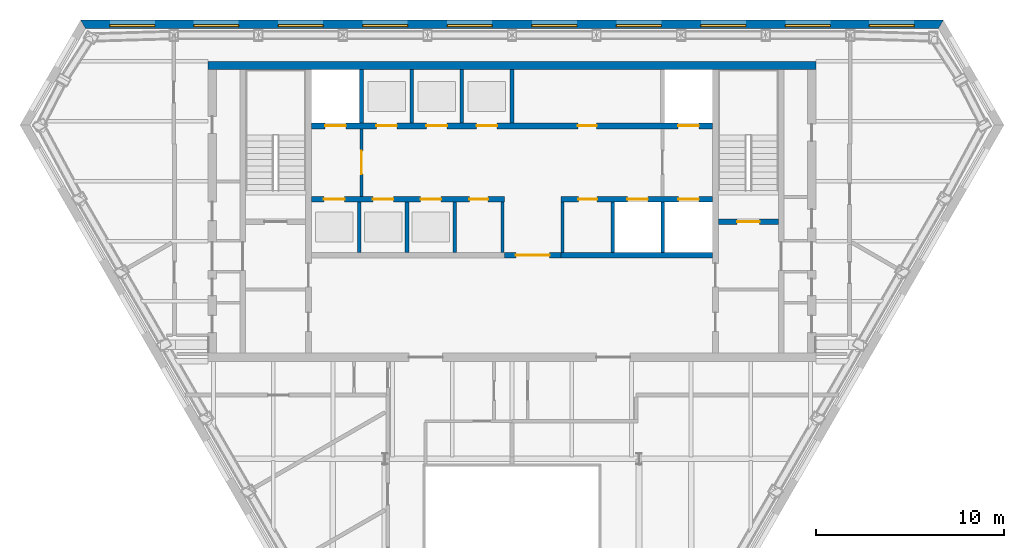
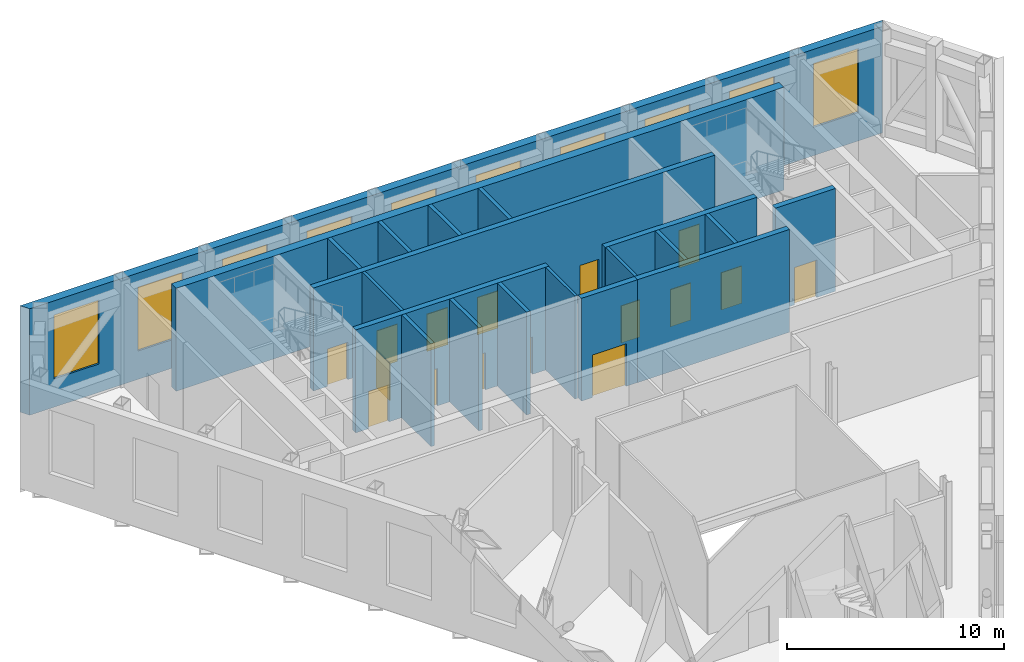
# One storey, part 9 of 14: 20 walls, 16 doors, 10 shading devices, 26 openings.
"""IFC4 building model written with IfcOpenShell, lengths in metres."""

from ifc_helpers import new_model, si_unit, direction, frame, frame_2d, origin, place, context, subcontext, project, spatial, polyline, rectangle, outline, extrude, material, layer, layer_set, type_object, element, fill, save


model = new_model("IFC4")

# Units and contexts
model_context = context("Model", 3, precision=1e-05, world=origin(), true_north=direction((0.0, 1.0)))
body_context = subcontext(model_context, "Body", "Model", "MODEL_VIEW")
ifc_project = project(units=[si_unit("LENGTHUNIT", "METRE"), si_unit("AREAUNIT", "SQUARE_METRE"), si_unit("VOLUMEUNIT", "CUBIC_METRE"), si_unit("PLANEANGLEUNIT", "RADIAN"), si_unit("MASSUNIT", "GRAM", prefix="KILO")], contexts=[model_context])

# Site, building, storey
site_placement = place(None, origin())
site = spatial("IfcSite", under=ifc_project, at=site_placement, CompositionType="ELEMENT")
building_placement = place(site_placement, origin())
building = spatial("IfcBuilding", under=site, at=building_placement, Name="Njiva Tower", CompositionType="ELEMENT")
storey_placement = place(building_placement, frame((0.0, 0.0, 239.4)))
storey = spatial("IfcBuildingStorey", under=building, at=storey_placement, Name="L54", CompositionType="ELEMENT", Elevation=239.4)

# Walls
ifc_material_1 = material(Name="Blockwork", Category="masonry")
ifc_layer_1 = layer(ifc_material_1, 0.15)
ifc_layer_set_1 = layer_set([ifc_layer_1], Name="Blockwork")
wall_type_1 = type_object("IfcWallType", Name="WT1 Compartment partition 150", PredefinedType="PARTITIONING", material=ifc_layer_set_1)
for number, where, z_axis, x_axis, name in (
    (1, (-0.5, 7.8, 0.0), (0.0, 0.0, 1.0), (0.0, 1.0, 0.0), "Partition CS4"),
    (2, (2.7, 7.8, 0.0), (0.0, 0.0, 1.0), (0.0, 1.0, 0.0), "Partition CS5"),
):
    element("IfcWall", number, at=place(storey_placement, frame(where, z_axis=z_axis, x_axis=x_axis)), inside=storey, type_object=wall_type_1, Name=name, PredefinedType="PARTITIONING", context=body_context, shape_type="SweptSolid", body=[
        extrude(rectangle(XDim=2.7, YDim=0.15, at=frame_2d((1.35, 0.0))), origin(), (0.0, 0.0, 1.0), 5.8),
    ])

# Wall, opening, door
ifc_material_2 = material(Name="Concrete C40/50", Category="concrete")
ifc_layer_2 = layer(ifc_material_2, 0.3)
ifc_layer_set_2 = layer_set([ifc_layer_2], Name="Concrete C40/50")
wall_type_2 = type_object("IfcWallType", Name="WT10 Stair enclosure wall 300", PredefinedType="SHEAR", material=ifc_layer_set_2)
wall_1_placement = place(storey_placement, frame((11.0, 9.45, 0.0), z_axis=(0.0, 0.0, 1.0), x_axis=(1.0, 0.0, 0.0)))
wall_1 = element("IfcWall", 3, at=wall_1_placement, inside=storey, type_object=wall_type_2, Name="Stair B south wall", PredefinedType="SHEAR", context=body_context, shape_type="SweptSolid", body=[
    extrude(rectangle(XDim=3.2, YDim=0.3, at=frame_2d((1.6, 0.0))), origin(), (0.0, 0.0, 1.0), 5.8),
])
opening_1_placement = place(wall_1_placement, frame((1.0, 0.0, 0.0)))
opening_1 = element("IfcOpeningElement", 4, at=opening_1_placement, cuts=wall_1, Name="Opening T4-D919", PredefinedType="OPENING", context=body_context, shape_type="SweptSolid", body=[
    extrude(rectangle(XDim=1.2, YDim=2.1, at=frame_2d((0.6, 1.05))), frame((0.0, 0.16, 0.0), z_axis=(0.0, -1.0, 0.0), x_axis=(1.0, 0.0, 0.0)), (0.0, 0.0, 1.0), 0.32),
])
ifc_material_3 = material(Name="Glazed steel fire door", Category="steel")
door_type_1 = type_object("IfcDoorType", Name="D7 Stair vestibule door 1200x2100 glazed", OperationType="SINGLE_SWING_LEFT", PredefinedType="DOOR", material=ifc_material_3)
door_1_placement = place(opening_1_placement, origin())
door_1 = element("IfcDoor", 5, at=door_1_placement, inside=storey, type_object=door_type_1, Name="Stair B door", OperationType="SINGLE_SWING_LEFT", OverallHeight=2.1, OverallWidth=1.2, PredefinedType="DOOR", context=body_context, shape_type="SweptSolid", body=[
    extrude(rectangle(XDim=1.2, YDim=2.1, at=frame_2d((0.6, 1.05))), frame((0.0, 0.025, 0.0), z_axis=(0.0, -1.0, 0.0), x_axis=(1.0, 0.0, 0.0)), (0.0, 0.0, 1.0), 0.05),
])
fill(opening_1, door_1)

# Wall
ifc_material_4 = material(Name="Concrete C60/75", Category="concrete")
ifc_layer_3 = layer(ifc_material_4, 0.45)
ifc_layer_set_3 = layer_set([ifc_layer_3], Name="Concrete C60/75")
wall_type_3 = type_object("IfcWallType", Name="WT12 Core wall 450", PredefinedType="SHEAR", material=ifc_layer_set_3)
wall_2_placement = place(storey_placement, frame((-16.2, 17.775, 0.0), z_axis=(0.0, 0.0, 1.0), x_axis=(1.0, 0.0, 0.0)))
element("IfcWall", 6, at=wall_2_placement, inside=storey, type_object=wall_type_3, Name="Core wall north", PredefinedType="SHEAR", context=body_context, shape_type="SweptSolid", body=[
    extrude(rectangle(XDim=32.4, YDim=0.45, at=frame_2d((16.2, 0.0))), origin(), (0.0, 0.0, 1.0), 5.8),
])

# Wall, opening, door
ifc_layer_4 = layer(ifc_material_1, 0.15)
ifc_layer_set_4 = layer_set([ifc_layer_4], Name="Blockwork")
wall_type_4 = type_object("IfcWallType", Name="WT2 Lobby partition 150", PredefinedType="PARTITIONING", material=ifc_layer_set_4)
wall_3_placement = place(storey_placement, frame((-8.025, 10.8, 0.0), z_axis=(0.0, 0.0, 1.0), x_axis=(0.0, 1.0, 0.0)))
wall_3 = element("IfcWall", 7, at=wall_3_placement, inside=storey, type_object=wall_type_4, Name="Firefighting lobby wall A", PredefinedType="PARTITIONING", context=body_context, shape_type="SweptSolid", body=[
    extrude(rectangle(XDim=3.6, YDim=0.15, at=frame_2d((1.8, 0.0))), origin(), (0.0, 0.0, 1.0), 5.8),
])
opening_2_placement = place(wall_3_placement, frame((1.175, 0.0, 0.0)))
opening_2 = element("IfcOpeningElement", 8, at=opening_2_placement, cuts=wall_3, Name="Opening T4-D914", PredefinedType="OPENING", context=body_context, shape_type="SweptSolid", body=[
    extrude(rectangle(XDim=1.25, YDim=2.1, at=frame_2d((0.625, 1.05))), frame((0.0, 0.085, 0.0), z_axis=(0.0, -1.0, 0.0), x_axis=(1.0, 0.0, 0.0)), (0.0, 0.0, 1.0), 0.17),
])
door_type_2 = type_object("IfcDoorType", Name="D8 Vestibule corridor door 1250x2100 glazed", OperationType="SINGLE_SWING_LEFT", PredefinedType="DOOR", material=ifc_material_3)
door_2_placement = place(opening_2_placement, origin())
door_2 = element("IfcDoor", 9, at=door_2_placement, inside=storey, type_object=door_type_2, Name="Stair vestibule corridor door", OperationType="SINGLE_SWING_RIGHT", OverallHeight=2.1, OverallWidth=1.25, PredefinedType="DOOR", context=body_context, shape_type="SweptSolid", body=[
    extrude(rectangle(XDim=1.25, YDim=2.1, at=frame_2d((0.625, 1.05))), frame((0.0, 0.025, 0.0), z_axis=(0.0, -1.0, 0.0), x_axis=(1.0, 0.0, 0.0)), (0.0, 0.0, 1.0), 0.05),
])
fill(opening_2, door_2)

ifc_layer_5 = layer(ifc_material_1, 0.3)
ifc_layer_set_5 = layer_set([ifc_layer_5], Name="Blockwork")
wall_type_5 = type_object("IfcWallType", Name="WT5 Lobby partition 300", PredefinedType="PARTITIONING", material=ifc_layer_set_5)
wall_4_placement = place(storey_placement, frame((-0.4, 7.65, 0.0), z_axis=(0.0, 0.0, 1.0), x_axis=(1.0, 0.0, 0.0)))
wall_4 = element("IfcWall", 10, at=wall_4_placement, inside=storey, type_object=wall_type_5, Name="Lift lobby screen wall", PredefinedType="PARTITIONING", context=body_context, shape_type="SweptSolid", body=[
    extrude(rectangle(XDim=3.0, YDim=0.3, at=frame_2d((1.5, 0.0))), origin(), (0.0, 0.0, 1.0), 5.8),
])
opening_3_placement = place(wall_4_placement, frame((0.6, 0.0, 0.0)))
opening_3 = element("IfcOpeningElement", 11, at=opening_3_placement, cuts=wall_4, Name="Opening T4-D934", PredefinedType="OPENING", context=body_context, shape_type="SweptSolid", body=[
    extrude(rectangle(XDim=1.8, YDim=2.4, at=frame_2d((0.9, 1.2))), frame((0.0, 0.16, 0.0), z_axis=(0.0, -1.0, 0.0), x_axis=(1.0, 0.0, 0.0)), (0.0, 0.0, 1.0), 0.32),
])
ifc_material_5 = material(Name="Steel and glass door", Category="steel")
door_type_3 = type_object("IfcDoorType", Name="D3 Core entrance door 1800x2400", OperationType="DOUBLE_DOOR_SINGLE_SWING", PredefinedType="DOOR", material=ifc_material_5)
door_3_placement = place(opening_3_placement, origin())
door_3 = element("IfcDoor", 12, at=door_3_placement, inside=storey, type_object=door_type_3, Name="Core entrance door", OperationType="DOUBLE_DOOR_SINGLE_SWING", OverallHeight=2.4, OverallWidth=1.8, PredefinedType="DOOR", context=body_context, shape_type="SweptSolid", body=[
    extrude(rectangle(XDim=1.8, YDim=2.4, at=frame_2d((0.9, 1.2))), frame((0.0, 0.025, 0.0), z_axis=(0.0, -1.0, 0.0), x_axis=(1.0, 0.0, 0.0)), (0.0, 0.0, 1.0), 0.05),
])
fill(opening_3, door_3)

# Walls
ifc_layer_6 = layer(ifc_material_2, 0.2)
ifc_layer_set_6 = layer_set([ifc_layer_6], Name="Concrete C40/50")
wall_type_6 = type_object("IfcWallType", Name="WT6 Lift shaft wall 200", PredefinedType="SHEAR", material=ifc_layer_set_6)
for number, where, z_axis, x_axis, name in (
    (13, (-8.025, 14.7, 0.0), (0.0, 0.0, 1.0), (0.0, 1.0, 0.0), "Shaft wall CN1"),
    (14, (-5.35, 14.7, 0.0), (0.0, 0.0, 1.0), (0.0, 1.0, 0.0), "Shaft wall CN2"),
    (15, (-2.675, 14.7, 0.0), (0.0, 0.0, 1.0), (0.0, 1.0, 0.0), "Shaft wall CN3"),
    (16, (0.0, 14.7, 0.0), (0.0, 0.0, 1.0), (0.0, 1.0, 0.0), "Shaft wall CN4"),
):
    element("IfcWall", number, at=place(storey_placement, frame(where, z_axis=z_axis, x_axis=x_axis)), inside=storey, type_object=wall_type_6, Name=name, PredefinedType="SHEAR", context=body_context, shape_type="SweptSolid", body=[
        extrude(rectangle(XDim=2.85, YDim=0.2, at=frame_2d((1.425, 0.0))), origin(), (0.0, 0.0, 1.0), 5.8),
    ])
for number, where, z_axis, x_axis, name in (
    (17, (-8.15, 7.8, 0.0), (0.0, 0.0, 1.0), (0.0, 1.0, 0.0), "Shaft wall CS1"),
    (18, (-5.6, 7.8, 0.0), (0.0, 0.0, 1.0), (0.0, 1.0, 0.0), "Shaft wall CS2"),
    (19, (-3.05, 7.8, 0.0), (0.0, 0.0, 1.0), (0.0, 1.0, 0.0), "Shaft wall CS3"),
    (20, (5.3667, 7.8, 0.0), (0.0, 0.0, 1.0), (0.0, 1.0, 0.0), "Shaft wall CS6"),
    (21, (8.0333, 7.8, 0.0), (0.0, 0.0, 1.0), (0.0, 1.0, 0.0), "Shaft wall CS7"),
):
    element("IfcWall", number, at=place(storey_placement, frame(where, z_axis=z_axis, x_axis=x_axis)), inside=storey, type_object=wall_type_6, Name=name, PredefinedType="SHEAR", context=body_context, shape_type="SweptSolid", body=[
        extrude(rectangle(XDim=2.7, YDim=0.2, at=frame_2d((1.35, 0.0))), origin(), (0.0, 0.0, 1.0), 5.8),
    ])

# Wall, openings, doors
ifc_layer_7 = layer(ifc_material_2, 0.3)
ifc_layer_set_7 = layer_set([ifc_layer_7], Name="Concrete C40/50")
wall_type_7 = type_object("IfcWallType", Name="WT7 Lift shaft wall 300", PredefinedType="SHEAR", material=ifc_layer_set_7)
wall_5_placement = place(storey_placement, frame((-10.7, 14.55, 0.0), z_axis=(0.0, 0.0, 1.0), x_axis=(1.0, 0.0, 0.0)))
wall_5 = element("IfcWall", 22, at=wall_5_placement, inside=storey, type_object=wall_type_7, Name="Shaft wall north row lobby side", PredefinedType="SHEAR", context=body_context, shape_type="SweptSolid", body=[
    extrude(rectangle(XDim=21.4, YDim=0.3, at=frame_2d((10.7, 0.0))), origin(), (0.0, 0.0, 1.0), 5.8),
])
opening_4_placement = place(wall_5_placement, frame((0.7375, 0.0, 0.0)))
opening_4 = element("IfcOpeningElement", 23, at=opening_4_placement, cuts=wall_5, Name="Opening T4-D901", PredefinedType="OPENING", context=body_context, shape_type="SweptSolid", body=[
    extrude(rectangle(XDim=1.1, YDim=2.1, at=frame_2d((0.55, 1.05))), frame((0.0, 0.16, 0.0), z_axis=(0.0, -1.0, 0.0), x_axis=(1.0, 0.0, 0.0)), (0.0, 0.0, 1.0), 0.32),
])
opening_5_placement = place(wall_5_placement, frame((3.4625, 0.0, 0.0)))
opening_5 = element("IfcOpeningElement", 24, at=opening_5_placement, cuts=wall_5, Name="Opening T4-D902", PredefinedType="OPENING", context=body_context, shape_type="SweptSolid", body=[
    extrude(rectangle(XDim=1.1, YDim=2.1, at=frame_2d((0.55, 1.05))), frame((0.0, 0.16, 0.0), z_axis=(0.0, -1.0, 0.0), x_axis=(1.0, 0.0, 0.0)), (0.0, 0.0, 1.0), 0.32),
])
opening_6_placement = place(wall_5_placement, frame((6.1375, 0.0, 0.0)))
opening_6 = element("IfcOpeningElement", 25, at=opening_6_placement, cuts=wall_5, Name="Opening T4-D903", PredefinedType="OPENING", context=body_context, shape_type="SweptSolid", body=[
    extrude(rectangle(XDim=1.1, YDim=2.1, at=frame_2d((0.55, 1.05))), frame((0.0, 0.16, 0.0), z_axis=(0.0, -1.0, 0.0), x_axis=(1.0, 0.0, 0.0)), (0.0, 0.0, 1.0), 0.32),
])
opening_7_placement = place(wall_5_placement, frame((8.8125, 0.0, 0.0)))
opening_7 = element("IfcOpeningElement", 26, at=opening_7_placement, cuts=wall_5, Name="Opening T4-D904", PredefinedType="OPENING", context=body_context, shape_type="SweptSolid", body=[
    extrude(rectangle(XDim=1.1, YDim=2.1, at=frame_2d((0.55, 1.05))), frame((0.0, 0.16, 0.0), z_axis=(0.0, -1.0, 0.0), x_axis=(1.0, 0.0, 0.0)), (0.0, 0.0, 1.0), 0.32),
])
opening_8_placement = place(wall_5_placement, frame((19.5625, 0.0, 0.0)))
opening_8 = element("IfcOpeningElement", 27, at=opening_8_placement, cuts=wall_5, Name="Opening T4-D905", PredefinedType="OPENING", context=body_context, shape_type="SweptSolid", body=[
    extrude(rectangle(XDim=1.1, YDim=2.1, at=frame_2d((0.55, 1.05))), frame((0.0, 0.16, 0.0), z_axis=(0.0, -1.0, 0.0), x_axis=(1.0, 0.0, 0.0)), (0.0, 0.0, 1.0), 0.32),
])
opening_9_placement = place(wall_5_placement, frame((14.2125, 0.0, 0.0)))
opening_9 = element("IfcOpeningElement", 28, at=opening_9_placement, cuts=wall_5, Name="Opening T4-D911", PredefinedType="OPENING", context=body_context, shape_type="SweptSolid", body=[
    extrude(rectangle(XDim=1.0, YDim=2.1, at=frame_2d((0.5, 1.05))), frame((0.0, 0.16, 0.0), z_axis=(0.0, -1.0, 0.0), x_axis=(1.0, 0.0, 0.0)), (0.0, 0.0, 1.0), 0.32),
])
ifc_material_6 = material(Name="Steel door, painted", Category="steel")
door_type_4 = type_object("IfcDoorType", Name="D5 Steel door 1000x2100", OperationType="SINGLE_SWING_LEFT", PredefinedType="DOOR", material=ifc_material_6)
door_4_placement = place(opening_9_placement, origin())
door_4 = element("IfcDoor", 29, at=door_4_placement, inside=storey, type_object=door_type_4, Name="Ventilation plant room door", OperationType="SINGLE_SWING_LEFT", OverallHeight=2.1, OverallWidth=1.0, PredefinedType="DOOR", context=body_context, shape_type="SweptSolid", body=[
    extrude(rectangle(XDim=1.0, YDim=2.1, at=frame_2d((0.5, 1.05))), frame((0.0, 0.025, 0.0), z_axis=(0.0, -1.0, 0.0), x_axis=(1.0, 0.0, 0.0)), (0.0, 0.0, 1.0), 0.05),
])
fill(opening_9, door_4)
ifc_material_7 = material(Name="Stainless steel sliding door", Category="steel")
door_type_5 = type_object("IfcDoorType", Name="LD Lift landing door 1100x2100", OperationType="SLIDING_TO_LEFT", PredefinedType="DOOR", material=ifc_material_7)
door_5_placement = place(opening_4_placement, origin())
door_5 = element("IfcDoor", 30, at=door_5_placement, inside=storey, type_object=door_type_5, Name="Lift landing door FF1", OperationType="SLIDING_TO_LEFT", OverallHeight=2.1, OverallWidth=1.1, PredefinedType="DOOR", context=body_context, shape_type="SweptSolid", body=[
    extrude(rectangle(XDim=1.1, YDim=2.1, at=frame_2d((0.55, 1.05))), frame((0.0, 0.025, 0.0), z_axis=(0.0, -1.0, 0.0), x_axis=(1.0, 0.0, 0.0)), (0.0, 0.0, 1.0), 0.05),
])
fill(opening_4, door_5)
door_6_placement = place(opening_5_placement, origin())
door_6 = element("IfcDoor", 31, at=door_6_placement, inside=storey, type_object=door_type_5, Name="Lift landing door HB4 and MB4", OperationType="SLIDING_TO_LEFT", OverallHeight=2.1, OverallWidth=1.1, PredefinedType="DOOR", context=body_context, shape_type="SweptSolid", body=[
    extrude(rectangle(XDim=1.1, YDim=2.1, at=frame_2d((0.55, 1.05))), frame((0.0, 0.025, 0.0), z_axis=(0.0, -1.0, 0.0), x_axis=(1.0, 0.0, 0.0)), (0.0, 0.0, 1.0), 0.05),
])
fill(opening_5, door_6)
door_7_placement = place(opening_6_placement, origin())
door_7 = element("IfcDoor", 32, at=door_7_placement, inside=storey, type_object=door_type_5, Name="Lift landing door HB5 and MB5", OperationType="SLIDING_TO_LEFT", OverallHeight=2.1, OverallWidth=1.1, PredefinedType="DOOR", context=body_context, shape_type="SweptSolid", body=[
    extrude(rectangle(XDim=1.1, YDim=2.1, at=frame_2d((0.55, 1.05))), frame((0.0, 0.025, 0.0), z_axis=(0.0, -1.0, 0.0), x_axis=(1.0, 0.0, 0.0)), (0.0, 0.0, 1.0), 0.05),
])
fill(opening_6, door_7)
door_8_placement = place(opening_7_placement, origin())
door_8 = element("IfcDoor", 33, at=door_8_placement, inside=storey, type_object=door_type_5, Name="Lift landing door HB6 and MB6", OperationType="SLIDING_TO_LEFT", OverallHeight=2.1, OverallWidth=1.1, PredefinedType="DOOR", context=body_context, shape_type="SweptSolid", body=[
    extrude(rectangle(XDim=1.1, YDim=2.1, at=frame_2d((0.55, 1.05))), frame((0.0, 0.025, 0.0), z_axis=(0.0, -1.0, 0.0), x_axis=(1.0, 0.0, 0.0)), (0.0, 0.0, 1.0), 0.05),
])
fill(opening_7, door_8)
door_9_placement = place(opening_8_placement, origin())
door_9 = element("IfcDoor", 34, at=door_9_placement, inside=storey, type_object=door_type_5, Name="Lift landing door FF2", OperationType="SLIDING_TO_LEFT", OverallHeight=2.1, OverallWidth=1.1, PredefinedType="DOOR", context=body_context, shape_type="SweptSolid", body=[
    extrude(rectangle(XDim=1.1, YDim=2.1, at=frame_2d((0.55, 1.05))), frame((0.0, 0.025, 0.0), z_axis=(0.0, -1.0, 0.0), x_axis=(1.0, 0.0, 0.0)), (0.0, 0.0, 1.0), 0.05),
])
fill(opening_8, door_9)

wall_6_placement = place(storey_placement, frame((-10.7, 10.65, 0.0), z_axis=(0.0, 0.0, 1.0), x_axis=(1.0, 0.0, 0.0)))
wall_6 = element("IfcWall", 35, at=wall_6_placement, inside=storey, type_object=wall_type_7, Name="Shaft wall south row lobby side W", PredefinedType="SHEAR", context=body_context, shape_type="SweptSolid", body=[
    extrude(rectangle(XDim=10.3, YDim=0.3, at=frame_2d((5.15, 0.0))), origin(), (0.0, 0.0, 1.0), 5.8),
])
opening_10_placement = place(wall_6_placement, frame((0.675, 0.0, 0.0)))
opening_10 = element("IfcOpeningElement", 36, at=opening_10_placement, cuts=wall_6, Name="Opening T4-D906", PredefinedType="OPENING", context=body_context, shape_type="SweptSolid", body=[
    extrude(rectangle(XDim=1.1, YDim=2.1, at=frame_2d((0.55, 1.05))), frame((0.0, 0.16, 0.0), z_axis=(0.0, -1.0, 0.0), x_axis=(1.0, 0.0, 0.0)), (0.0, 0.0, 1.0), 0.32),
])
opening_11_placement = place(wall_6_placement, frame((3.275, 0.0, 0.0)))
opening_11 = element("IfcOpeningElement", 37, at=opening_11_placement, cuts=wall_6, Name="Opening T4-D907", PredefinedType="OPENING", context=body_context, shape_type="SweptSolid", body=[
    extrude(rectangle(XDim=1.1, YDim=2.1, at=frame_2d((0.55, 1.05))), frame((0.0, 0.16, 0.0), z_axis=(0.0, -1.0, 0.0), x_axis=(1.0, 0.0, 0.0)), (0.0, 0.0, 1.0), 0.32),
])
opening_12_placement = place(wall_6_placement, frame((5.825, 0.0, 0.0)))
opening_12 = element("IfcOpeningElement", 38, at=opening_12_placement, cuts=wall_6, Name="Opening T4-D908", PredefinedType="OPENING", context=body_context, shape_type="SweptSolid", body=[
    extrude(rectangle(XDim=1.1, YDim=2.1, at=frame_2d((0.55, 1.05))), frame((0.0, 0.16, 0.0), z_axis=(0.0, -1.0, 0.0), x_axis=(1.0, 0.0, 0.0)), (0.0, 0.0, 1.0), 0.32),
])
opening_13_placement = place(wall_6_placement, frame((8.425, 0.0, 0.0)))
opening_13 = element("IfcOpeningElement", 39, at=opening_13_placement, cuts=wall_6, Name="Opening T4-D912", PredefinedType="OPENING", context=body_context, shape_type="SweptSolid", body=[
    extrude(rectangle(XDim=1.0, YDim=2.1, at=frame_2d((0.5, 1.05))), frame((0.0, 0.16, 0.0), z_axis=(0.0, -1.0, 0.0), x_axis=(1.0, 0.0, 0.0)), (0.0, 0.0, 1.0), 0.32),
])
door_10_placement = place(opening_13_placement, origin())
door_10 = element("IfcDoor", 40, at=door_10_placement, inside=storey, type_object=door_type_4, Name="Plant store door", OperationType="SINGLE_SWING_RIGHT", OverallHeight=2.1, OverallWidth=1.0, PredefinedType="DOOR", context=body_context, shape_type="SweptSolid", body=[
    extrude(rectangle(XDim=1.0, YDim=2.1, at=frame_2d((0.5, 1.05))), frame((0.0, 0.025, 0.0), z_axis=(0.0, -1.0, 0.0), x_axis=(1.0, 0.0, 0.0)), (0.0, 0.0, 1.0), 0.05),
])
fill(opening_13, door_10)
door_11_placement = place(opening_10_placement, origin())
door_11 = element("IfcDoor", 41, at=door_11_placement, inside=storey, type_object=door_type_5, Name="Lift landing door HB1 and MB1", OperationType="SLIDING_TO_LEFT", OverallHeight=2.1, OverallWidth=1.1, PredefinedType="DOOR", context=body_context, shape_type="SweptSolid", body=[
    extrude(rectangle(XDim=1.1, YDim=2.1, at=frame_2d((0.55, 1.05))), frame((0.0, 0.025, 0.0), z_axis=(0.0, -1.0, 0.0), x_axis=(1.0, 0.0, 0.0)), (0.0, 0.0, 1.0), 0.05),
])
fill(opening_10, door_11)
door_12_placement = place(opening_11_placement, origin())
door_12 = element("IfcDoor", 42, at=door_12_placement, inside=storey, type_object=door_type_5, Name="Lift landing door HB2 and MB2", OperationType="SLIDING_TO_LEFT", OverallHeight=2.1, OverallWidth=1.1, PredefinedType="DOOR", context=body_context, shape_type="SweptSolid", body=[
    extrude(rectangle(XDim=1.1, YDim=2.1, at=frame_2d((0.55, 1.05))), frame((0.0, 0.025, 0.0), z_axis=(0.0, -1.0, 0.0), x_axis=(1.0, 0.0, 0.0)), (0.0, 0.0, 1.0), 0.05),
])
fill(opening_11, door_12)
door_13_placement = place(opening_12_placement, origin())
door_13 = element("IfcDoor", 43, at=door_13_placement, inside=storey, type_object=door_type_5, Name="Lift landing door HB3 and MB3", OperationType="SLIDING_TO_LEFT", OverallHeight=2.1, OverallWidth=1.1, PredefinedType="DOOR", context=body_context, shape_type="SweptSolid", body=[
    extrude(rectangle(XDim=1.1, YDim=2.1, at=frame_2d((0.55, 1.05))), frame((0.0, 0.025, 0.0), z_axis=(0.0, -1.0, 0.0), x_axis=(1.0, 0.0, 0.0)), (0.0, 0.0, 1.0), 0.05),
])
fill(opening_12, door_13)

wall_7_placement = place(storey_placement, frame((2.6, 10.65, 0.0), z_axis=(0.0, 0.0, 1.0), x_axis=(1.0, 0.0, 0.0)))
wall_7 = element("IfcWall", 44, at=wall_7_placement, inside=storey, type_object=wall_type_7, Name="Shaft wall south row lobby side E", PredefinedType="SHEAR", context=body_context, shape_type="SweptSolid", body=[
    extrude(rectangle(XDim=8.1, YDim=0.3, at=frame_2d((4.05, 0.0))), origin(), (0.0, 0.0, 1.0), 5.8),
])
opening_14_placement = place(wall_7_placement, frame((3.55, 0.0, 0.0)))
opening_14 = element("IfcOpeningElement", 45, at=opening_14_placement, cuts=wall_7, Name="Opening T4-D909", PredefinedType="OPENING", context=body_context, shape_type="SweptSolid", body=[
    extrude(rectangle(XDim=1.1, YDim=2.1, at=frame_2d((0.55, 1.05))), frame((0.0, 0.16, 0.0), z_axis=(0.0, -1.0, 0.0), x_axis=(1.0, 0.0, 0.0)), (0.0, 0.0, 1.0), 0.32),
])
opening_15_placement = place(wall_7_placement, frame((6.2667, 0.0, 0.0)))
opening_15 = element("IfcOpeningElement", 46, at=opening_15_placement, cuts=wall_7, Name="Opening T4-D910", PredefinedType="OPENING", context=body_context, shape_type="SweptSolid", body=[
    extrude(rectangle(XDim=1.1, YDim=2.1, at=frame_2d((0.55, 1.05))), frame((0.0, 0.16, 0.0), z_axis=(0.0, -1.0, 0.0), x_axis=(1.0, 0.0, 0.0)), (0.0, 0.0, 1.0), 0.32),
])
opening_16_placement = place(wall_7_placement, frame((0.9334, 0.0, 0.0)))
opening_16 = element("IfcOpeningElement", 47, at=opening_16_placement, cuts=wall_7, Name="Opening T4-D913", PredefinedType="OPENING", context=body_context, shape_type="SweptSolid", body=[
    extrude(rectangle(XDim=1.0, YDim=2.1, at=frame_2d((0.5, 1.05))), frame((0.0, 0.16, 0.0), z_axis=(0.0, -1.0, 0.0), x_axis=(1.0, 0.0, 0.0)), (0.0, 0.0, 1.0), 0.32),
])
door_14_placement = place(opening_16_placement, origin())
door_14 = element("IfcDoor", 48, at=door_14_placement, inside=storey, type_object=door_type_4, Name="Plant store room door", OperationType="SINGLE_SWING_LEFT", OverallHeight=2.1, OverallWidth=1.0, PredefinedType="DOOR", context=body_context, shape_type="SweptSolid", body=[
    extrude(rectangle(XDim=1.0, YDim=2.1, at=frame_2d((0.5, 1.05))), frame((0.0, 0.025, 0.0), z_axis=(0.0, -1.0, 0.0), x_axis=(1.0, 0.0, 0.0)), (0.0, 0.0, 1.0), 0.05),
])
fill(opening_16, door_14)
door_15_placement = place(opening_14_placement, origin())
door_15 = element("IfcDoor", 49, at=door_15_placement, inside=storey, type_object=door_type_5, Name="Lift landing door SB1", OperationType="SLIDING_TO_LEFT", OverallHeight=2.1, OverallWidth=1.1, PredefinedType="DOOR", context=body_context, shape_type="SweptSolid", body=[
    extrude(rectangle(XDim=1.1, YDim=2.1, at=frame_2d((0.55, 1.05))), frame((0.0, 0.025, 0.0), z_axis=(0.0, -1.0, 0.0), x_axis=(1.0, 0.0, 0.0)), (0.0, 0.0, 1.0), 0.05),
])
fill(opening_14, door_15)
door_16_placement = place(opening_15_placement, origin())
door_16 = element("IfcDoor", 50, at=door_16_placement, inside=storey, type_object=door_type_5, Name="Lift landing door SB2", OperationType="SLIDING_TO_LEFT", OverallHeight=2.1, OverallWidth=1.1, PredefinedType="DOOR", context=body_context, shape_type="SweptSolid", body=[
    extrude(rectangle(XDim=1.1, YDim=2.1, at=frame_2d((0.55, 1.05))), frame((0.0, 0.025, 0.0), z_axis=(0.0, -1.0, 0.0), x_axis=(1.0, 0.0, 0.0)), (0.0, 0.0, 1.0), 0.05),
])
fill(opening_15, door_16)

# Wall
wall_8_placement = place(storey_placement, frame((2.6, 7.65, 0.0), z_axis=(0.0, 0.0, 1.0), x_axis=(1.0, 0.0, 0.0)))
element("IfcWall", 51, at=wall_8_placement, inside=storey, type_object=wall_type_7, Name="Shaft wall south row back E", PredefinedType="SHEAR", context=body_context, shape_type="SweptSolid", body=[
    extrude(rectangle(XDim=8.1, YDim=0.3, at=frame_2d((4.05, 0.0))), origin(), (0.0, 0.0, 1.0), 5.8),
])

# Wall, openings, shading devices
ifc_material_8 = material(Name="Brick masonry, buff", Category="masonry")
ifc_layer_8 = layer(ifc_material_8, 0.45)
ifc_layer_set_8 = layer_set([ifc_layer_8], Name="Brick masonry, buff")
wall_type_8 = type_object("IfcWallType", Name="WT94 Brick pier and spandrel wall 450, buff", PredefinedType="SOLIDWALL", material=ifc_layer_set_8)
wall_9_placement = place(storey_placement, frame((22.8701, 19.975, -0.4), z_axis=(0.0, 0.0, 1.0), x_axis=(-1.0, 0.0, 0.0)))
wall_9 = element("IfcWall", 52, at=wall_9_placement, inside=storey, type_object=wall_type_8, Name="Facade wall N", PredefinedType="SOLIDWALL", context=body_context, shape_type="SweptSolid", body=[
    extrude(outline(polyline([(-0.1299, -0.225), (45.8701, -0.225), (45.6103, 0.225), (0.1299, 0.225), (-0.1299, -0.225)])), origin(), (0.0, 0.0, 1.0), 6.0),
])
opening_17_placement = place(wall_9_placement, frame((1.4242, 0.0, 1.6)))
opening_17 = element("IfcOpeningElement", 53, at=opening_17_placement, cuts=wall_9, Name="Opening T4-LV01", PredefinedType="OPENING", context=body_context, shape_type="SweptSolid", body=[
    extrude(rectangle(XDim=2.4, YDim=3.6, at=frame_2d((1.2, 1.8))), frame((0.0, 0.235, 0.0), z_axis=(0.0, -1.0, 0.0), x_axis=(1.0, 0.0, 0.0)), (0.0, 0.0, 1.0), 0.47),
])
opening_18_placement = place(wall_9_placement, frame((5.8934, 0.0, 1.6)))
opening_18 = element("IfcOpeningElement", 54, at=opening_18_placement, cuts=wall_9, Name="Opening T4-LV02", PredefinedType="OPENING", context=body_context, shape_type="SweptSolid", body=[
    extrude(rectangle(XDim=2.4, YDim=3.6, at=frame_2d((1.2, 1.8))), frame((0.0, 0.235, 0.0), z_axis=(0.0, -1.0, 0.0), x_axis=(1.0, 0.0, 0.0)), (0.0, 0.0, 1.0), 0.47),
])
opening_19_placement = place(wall_9_placement, frame((10.401, 0.0, 1.6)))
opening_19 = element("IfcOpeningElement", 55, at=opening_19_placement, cuts=wall_9, Name="Opening T4-LV03", PredefinedType="OPENING", context=body_context, shape_type="SweptSolid", body=[
    extrude(rectangle(XDim=2.4, YDim=3.6, at=frame_2d((1.2, 1.8))), frame((0.0, 0.235, 0.0), z_axis=(0.0, -1.0, 0.0), x_axis=(1.0, 0.0, 0.0)), (0.0, 0.0, 1.0), 0.47),
])
opening_20_placement = place(wall_9_placement, frame((14.9087, 0.0, 1.6)))
opening_20 = element("IfcOpeningElement", 56, at=opening_20_placement, cuts=wall_9, Name="Opening T4-LV04", PredefinedType="OPENING", context=body_context, shape_type="SweptSolid", body=[
    extrude(rectangle(XDim=2.4, YDim=3.6, at=frame_2d((1.2, 1.8))), frame((0.0, 0.235, 0.0), z_axis=(0.0, -1.0, 0.0), x_axis=(1.0, 0.0, 0.0)), (0.0, 0.0, 1.0), 0.47),
])
opening_21_placement = place(wall_9_placement, frame((19.4163, 0.0, 1.6)))
opening_21 = element("IfcOpeningElement", 57, at=opening_21_placement, cuts=wall_9, Name="Opening T4-LV05", PredefinedType="OPENING", context=body_context, shape_type="SweptSolid", body=[
    extrude(rectangle(XDim=2.4, YDim=3.6, at=frame_2d((1.2, 1.8))), frame((0.0, 0.235, 0.0), z_axis=(0.0, -1.0, 0.0), x_axis=(1.0, 0.0, 0.0)), (0.0, 0.0, 1.0), 0.47),
])
opening_22_placement = place(wall_9_placement, frame((23.9239, 0.0, 1.6)))
opening_22 = element("IfcOpeningElement", 58, at=opening_22_placement, cuts=wall_9, Name="Opening T4-LV06", PredefinedType="OPENING", context=body_context, shape_type="SweptSolid", body=[
    extrude(rectangle(XDim=2.4, YDim=3.6, at=frame_2d((1.2, 1.8))), frame((0.0, 0.235, 0.0), z_axis=(0.0, -1.0, 0.0), x_axis=(1.0, 0.0, 0.0)), (0.0, 0.0, 1.0), 0.47),
])
opening_23_placement = place(wall_9_placement, frame((28.4315, 0.0, 1.6)))
opening_23 = element("IfcOpeningElement", 59, at=opening_23_placement, cuts=wall_9, Name="Opening T4-LV07", PredefinedType="OPENING", context=body_context, shape_type="SweptSolid", body=[
    extrude(rectangle(XDim=2.4, YDim=3.6, at=frame_2d((1.2, 1.8))), frame((0.0, 0.235, 0.0), z_axis=(0.0, -1.0, 0.0), x_axis=(1.0, 0.0, 0.0)), (0.0, 0.0, 1.0), 0.47),
])
opening_24_placement = place(wall_9_placement, frame((32.9391, 0.0, 1.6)))
opening_24 = element("IfcOpeningElement", 60, at=opening_24_placement, cuts=wall_9, Name="Opening T4-LV08", PredefinedType="OPENING", context=body_context, shape_type="SweptSolid", body=[
    extrude(rectangle(XDim=2.4, YDim=3.6, at=frame_2d((1.2, 1.8))), frame((0.0, 0.235, 0.0), z_axis=(0.0, -1.0, 0.0), x_axis=(1.0, 0.0, 0.0)), (0.0, 0.0, 1.0), 0.47),
])
opening_25_placement = place(wall_9_placement, frame((37.4468, 0.0, 1.6)))
opening_25 = element("IfcOpeningElement", 61, at=opening_25_placement, cuts=wall_9, Name="Opening T4-LV09", PredefinedType="OPENING", context=body_context, shape_type="SweptSolid", body=[
    extrude(rectangle(XDim=2.4, YDim=3.6, at=frame_2d((1.2, 1.8))), frame((0.0, 0.235, 0.0), z_axis=(0.0, -1.0, 0.0), x_axis=(1.0, 0.0, 0.0)), (0.0, 0.0, 1.0), 0.47),
])
opening_26_placement = place(wall_9_placement, frame((41.916, 0.0, 1.6)))
opening_26 = element("IfcOpeningElement", 62, at=opening_26_placement, cuts=wall_9, Name="Opening T4-LV10", PredefinedType="OPENING", context=body_context, shape_type="SweptSolid", body=[
    extrude(rectangle(XDim=2.4, YDim=3.6, at=frame_2d((1.2, 1.8))), frame((0.0, 0.235, 0.0), z_axis=(0.0, -1.0, 0.0), x_axis=(1.0, 0.0, 0.0)), (0.0, 0.0, 1.0), 0.47),
])
ifc_material_9 = material(Name="Aluminium louvre blades", Category="aluminium")
shading_device_type = type_object("IfcShadingDeviceType", Name="LV1 Plant louvre 2400x3600", PredefinedType="JALOUSIE", material=ifc_material_9)
shading_device_1_placement = place(opening_17_placement, origin())
shading_device_1 = element("IfcShadingDevice", 63, at=shading_device_1_placement, inside=storey, type_object=shading_device_type, Name="Plant louvre", PredefinedType="JALOUSIE", context=body_context, shape_type="SweptSolid", body=[
    extrude(rectangle(XDim=2.4, YDim=3.6, at=frame_2d((1.2, 1.8))), frame((0.0, 0.125, 0.0), z_axis=(0.0, -1.0, 0.0), x_axis=(1.0, 0.0, 0.0)), (0.0, 0.0, 1.0), 0.1),
])
fill(opening_17, shading_device_1)
shading_device_2_placement = place(opening_18_placement, origin())
shading_device_2 = element("IfcShadingDevice", 64, at=shading_device_2_placement, inside=storey, type_object=shading_device_type, Name="Plant louvre", PredefinedType="JALOUSIE", context=body_context, shape_type="SweptSolid", body=[
    extrude(rectangle(XDim=2.4, YDim=3.6, at=frame_2d((1.2, 1.8))), frame((0.0, 0.125, 0.0), z_axis=(0.0, -1.0, 0.0), x_axis=(1.0, 0.0, 0.0)), (0.0, 0.0, 1.0), 0.1),
])
fill(opening_18, shading_device_2)
shading_device_3_placement = place(opening_19_placement, origin())
shading_device_3 = element("IfcShadingDevice", 65, at=shading_device_3_placement, inside=storey, type_object=shading_device_type, Name="Plant louvre", PredefinedType="JALOUSIE", context=body_context, shape_type="SweptSolid", body=[
    extrude(rectangle(XDim=2.4, YDim=3.6, at=frame_2d((1.2, 1.8))), frame((0.0, 0.125, 0.0), z_axis=(0.0, -1.0, 0.0), x_axis=(1.0, 0.0, 0.0)), (0.0, 0.0, 1.0), 0.1),
])
fill(opening_19, shading_device_3)
shading_device_4_placement = place(opening_20_placement, origin())
shading_device_4 = element("IfcShadingDevice", 66, at=shading_device_4_placement, inside=storey, type_object=shading_device_type, Name="Plant louvre", PredefinedType="JALOUSIE", context=body_context, shape_type="SweptSolid", body=[
    extrude(rectangle(XDim=2.4, YDim=3.6, at=frame_2d((1.2, 1.8))), frame((0.0, 0.125, 0.0), z_axis=(0.0, -1.0, 0.0), x_axis=(1.0, 0.0, 0.0)), (0.0, 0.0, 1.0), 0.1),
])
fill(opening_20, shading_device_4)
shading_device_5_placement = place(opening_21_placement, origin())
shading_device_5 = element("IfcShadingDevice", 67, at=shading_device_5_placement, inside=storey, type_object=shading_device_type, Name="Plant louvre", PredefinedType="JALOUSIE", context=body_context, shape_type="SweptSolid", body=[
    extrude(rectangle(XDim=2.4, YDim=3.6, at=frame_2d((1.2, 1.8))), frame((0.0, 0.125, 0.0), z_axis=(0.0, -1.0, 0.0), x_axis=(1.0, 0.0, 0.0)), (0.0, 0.0, 1.0), 0.1),
])
fill(opening_21, shading_device_5)
shading_device_6_placement = place(opening_22_placement, origin())
shading_device_6 = element("IfcShadingDevice", 68, at=shading_device_6_placement, inside=storey, type_object=shading_device_type, Name="Plant louvre", PredefinedType="JALOUSIE", context=body_context, shape_type="SweptSolid", body=[
    extrude(rectangle(XDim=2.4, YDim=3.6, at=frame_2d((1.2, 1.8))), frame((0.0, 0.125, 0.0), z_axis=(0.0, -1.0, 0.0), x_axis=(1.0, 0.0, 0.0)), (0.0, 0.0, 1.0), 0.1),
])
fill(opening_22, shading_device_6)
shading_device_7_placement = place(opening_23_placement, origin())
shading_device_7 = element("IfcShadingDevice", 69, at=shading_device_7_placement, inside=storey, type_object=shading_device_type, Name="Plant louvre", PredefinedType="JALOUSIE", context=body_context, shape_type="SweptSolid", body=[
    extrude(rectangle(XDim=2.4, YDim=3.6, at=frame_2d((1.2, 1.8))), frame((0.0, 0.125, 0.0), z_axis=(0.0, -1.0, 0.0), x_axis=(1.0, 0.0, 0.0)), (0.0, 0.0, 1.0), 0.1),
])
fill(opening_23, shading_device_7)
shading_device_8_placement = place(opening_24_placement, origin())
shading_device_8 = element("IfcShadingDevice", 70, at=shading_device_8_placement, inside=storey, type_object=shading_device_type, Name="Plant louvre", PredefinedType="JALOUSIE", context=body_context, shape_type="SweptSolid", body=[
    extrude(rectangle(XDim=2.4, YDim=3.6, at=frame_2d((1.2, 1.8))), frame((0.0, 0.125, 0.0), z_axis=(0.0, -1.0, 0.0), x_axis=(1.0, 0.0, 0.0)), (0.0, 0.0, 1.0), 0.1),
])
fill(opening_24, shading_device_8)
shading_device_9_placement = place(opening_25_placement, origin())
shading_device_9 = element("IfcShadingDevice", 71, at=shading_device_9_placement, inside=storey, type_object=shading_device_type, Name="Plant louvre", PredefinedType="JALOUSIE", context=body_context, shape_type="SweptSolid", body=[
    extrude(rectangle(XDim=2.4, YDim=3.6, at=frame_2d((1.2, 1.8))), frame((0.0, 0.125, 0.0), z_axis=(0.0, -1.0, 0.0), x_axis=(1.0, 0.0, 0.0)), (0.0, 0.0, 1.0), 0.1),
])
fill(opening_25, shading_device_9)
shading_device_10_placement = place(opening_26_placement, origin())
shading_device_10 = element("IfcShadingDevice", 72, at=shading_device_10_placement, inside=storey, type_object=shading_device_type, Name="Plant louvre", PredefinedType="JALOUSIE", context=body_context, shape_type="SweptSolid", body=[
    extrude(rectangle(XDim=2.4, YDim=3.6, at=frame_2d((1.2, 1.8))), frame((0.0, 0.125, 0.0), z_axis=(0.0, -1.0, 0.0), x_axis=(1.0, 0.0, 0.0)), (0.0, 0.0, 1.0), 0.1),
])
fill(opening_26, shading_device_10)

save(model, "model.ifc")
